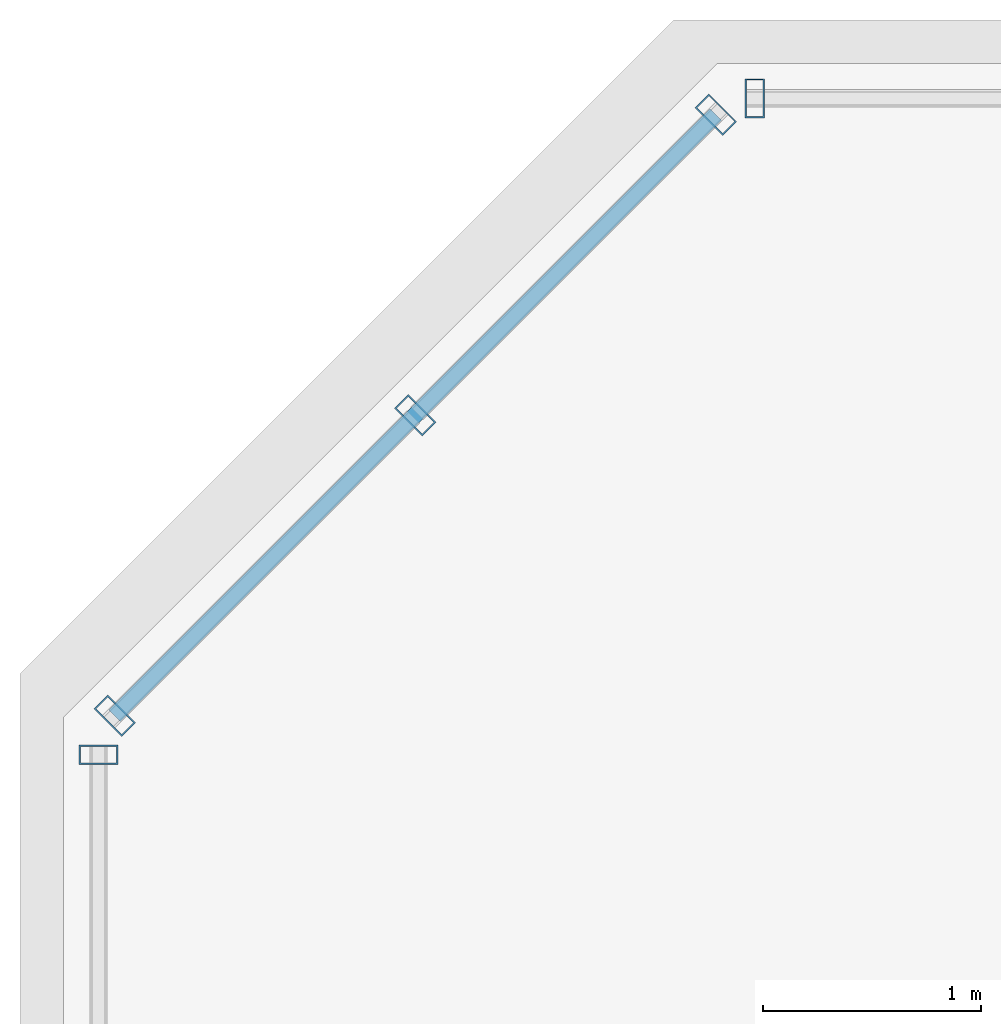
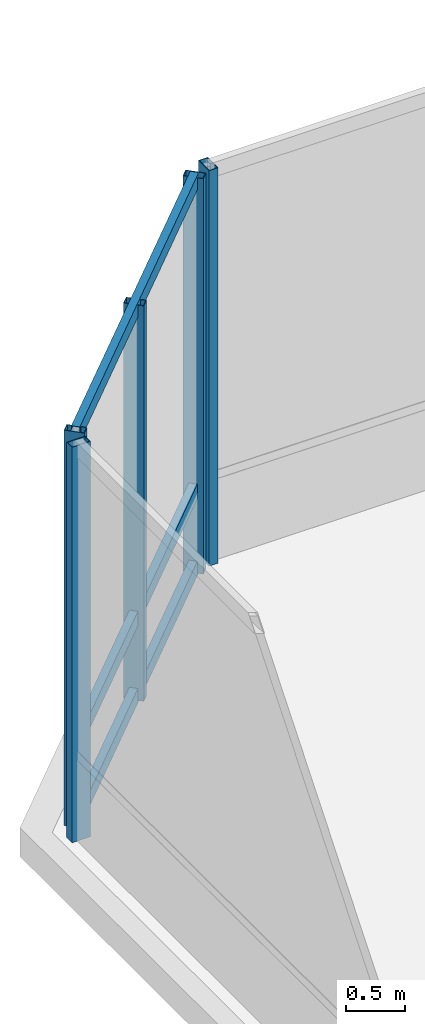
# One storey, part 13 of 22: 8 members, 3 elements without a shape of their own.
"""IFC4 building model written with IfcOpenShell, lengths in metres."""

from ifc_helpers import new_model, si_unit, direction, frame, origin, origin_2d, place, context, subcontext, project, spatial, hollow_rectangle, extrude, material, layer, layer_set, material_profile, profile_set, type_object, element, aggregate, save


model = new_model("IFC4")

# Units and contexts
model_context = context("Model", 3, precision=1e-05, world=origin(), true_north=direction((0.0, 1.0)))
body_context = subcontext(model_context, "Body", "Model", "MODEL_VIEW")
ifc_project = project(units=[si_unit("LENGTHUNIT", "METRE"), si_unit("AREAUNIT", "SQUARE_METRE"), si_unit("VOLUMEUNIT", "CUBIC_METRE"), si_unit("PLANEANGLEUNIT", "RADIAN"), si_unit("MASSUNIT", "GRAM", prefix="KILO")], contexts=[model_context])

# Site, building, storey
site_placement = place(None, origin())
site = spatial("IfcSite", under=ifc_project, at=site_placement, CompositionType="ELEMENT")
building_placement = place(site_placement, origin())
building = spatial("IfcBuilding", under=site, at=building_placement, Name="Tavrogorsk Clinical Tower", CompositionType="ELEMENT")
storey_placement = place(building_placement, frame((0.0, 0.0, 339.800048828125)))
storey = spatial("IfcBuildingStorey", under=building, at=storey_placement, Name="L79", CompositionType="ELEMENT", Elevation=339.800048828125)

# Curtain wall, member
ifc_material_1 = material(Name="Anodised aluminium and triple IGU glazing", Category="aluminium")
ifc_layer = layer(ifc_material_1, 0.179931640625)
ifc_layer_set = layer_set([ifc_layer], Name="Anodised aluminium and triple IGU glazing")
curtain_wall_type = type_object("IfcCurtainWallType", Name="CW6_TmdLantern", PredefinedType="NOTDEFINED", material=ifc_layer_set)
curtain_wall_1_placement = place(storey_placement, origin())
curtain_wall_1 = element("IfcCurtainWall", 1, at=curtain_wall_1_placement, inside=storey, type_object=curtain_wall_type, Name="L79 Curtain Wall CW-L79-DRUM-2", PredefinedType="NOTDEFINED")
ifc_material_2 = material(Name="Anodised aluminium alloy AW-6060", Category="aluminium")
ifc_material_profile_1 = material_profile(ifc_material_2, hollow_rectangle(XDim=0.090087890625, YDim=0.179931640625, WallThickness=0.00634765625, at=origin_2d()), Name="RHS-180x90x6.3")
ifc_profile_set_1 = profile_set([ifc_material_profile_1], Name="Anodised aluminium alloy AW-6060")
member_type_1 = type_object("IfcMemberType", Name="CwMullion_180x90", PredefinedType="MULLION", material=ifc_profile_set_1)
member_1_placement = place(storey_placement, frame((-26.639892578125, 15.02880859375, 0.0), z_axis=(0.0, 0.0, 1.0), x_axis=(0.0, 1.0, 0.0)))
member_1 = element("IfcMember", 2, at=member_1_placement, type_object=member_type_1, Name="CW-L79-DRUM-2 Mullion 4", PredefinedType="MULLION", context=body_context, shape_type="SweptSolid", body=[
    extrude(hollow_rectangle(XDim=0.090087890625, YDim=0.179931640625, WallThickness=0.00634765625, at=origin_2d()), origin(), (0.0, 0.0, 1.0), 4.099853515625),
])
aggregate(curtain_wall_1, [member_1])

# Curtain wall, members
curtain_wall_2_placement = place(storey_placement, origin())
curtain_wall_2 = element("IfcCurtainWall", 3, at=curtain_wall_2_placement, inside=storey, type_object=curtain_wall_type, Name="L79 Curtain Wall CW-L79-DRUM-3", PredefinedType="NOTDEFINED")
member_2_placement = place(storey_placement, frame((-26.565673828125, 15.2080078125, 0.0), z_axis=(0.0, 0.0, 1.0), x_axis=(0.707106781187, 0.707106781187, 0.0)))
member_2 = element("IfcMember", 4, at=member_2_placement, type_object=member_type_1, Name="CW-L79-DRUM-3 Mullion 1", PredefinedType="MULLION", context=body_context, shape_type="SweptSolid", body=[
    extrude(hollow_rectangle(XDim=0.090087890625, YDim=0.179931640625, WallThickness=0.00634765625, at=origin_2d()), origin(), (0.0, 0.0, 1.0), 4.099853515625),
])
member_3_placement = place(storey_placement, frame((-25.186767578125, 16.5869140625, 0.0), z_axis=(0.0, 0.0, 1.0), x_axis=(0.707106781187, 0.707106781187, 0.0)))
member_3 = element("IfcMember", 5, at=member_3_placement, type_object=member_type_1, Name="CW-L79-DRUM-3 Mullion 2", PredefinedType="MULLION", context=body_context, shape_type="SweptSolid", body=[
    extrude(hollow_rectangle(XDim=0.090087890625, YDim=0.179931640625, WallThickness=0.00634765625, at=origin_2d()), origin(), (0.0, 0.0, 1.0), 4.099853515625),
])
member_4_placement = place(storey_placement, frame((-23.807861328125, 17.9658203125, 0.0), z_axis=(0.0, 0.0, 1.0), x_axis=(0.707106781187, 0.707106781187, 0.0)))
member_4 = element("IfcMember", 6, at=member_4_placement, type_object=member_type_1, Name="CW-L79-DRUM-3 Mullion 3", PredefinedType="MULLION", context=body_context, shape_type="SweptSolid", body=[
    extrude(hollow_rectangle(XDim=0.090087890625, YDim=0.179931640625, WallThickness=0.00634765625, at=origin_2d()), origin(), (0.0, 0.0, 1.0), 4.099853515625),
])

# Curtain wall, member
curtain_wall_3_placement = place(storey_placement, origin())
curtain_wall_3 = element("IfcCurtainWall", 7, at=curtain_wall_3_placement, inside=storey, type_object=curtain_wall_type, Name="L79 Curtain Wall CW-L79-DRUM-4", PredefinedType="NOTDEFINED")
member_5_placement = place(storey_placement, frame((-23.628662109375, 18.0400390625, 0.0), z_axis=(0.0, 0.0, 1.0), x_axis=(1.0, 0.0, 0.0)))
member_5 = element("IfcMember", 8, at=member_5_placement, type_object=member_type_1, Name="CW-L79-DRUM-4 Mullion 1", PredefinedType="MULLION", context=body_context, shape_type="SweptSolid", body=[
    extrude(hollow_rectangle(XDim=0.090087890625, YDim=0.179931640625, WallThickness=0.00634765625, at=origin_2d()), origin(), (0.0, 0.0, 1.0), 4.099853515625),
])
aggregate(curtain_wall_3, [member_5])

# Member
ifc_material_3 = material(Name="Anodised aluminium alloy AW-6060", Category="aluminium")
ifc_material_profile_2 = material_profile(ifc_material_3, hollow_rectangle(XDim=0.074951171875, YDim=0.14990234375, WallThickness=0.0048828125, at=origin_2d()), Name="RHS-150x75x5")
ifc_profile_set_2 = profile_set([ifc_material_profile_2], Name="Anodised aluminium alloy AW-6060")
member_type_2 = type_object("IfcMemberType", Name="CwTransom_150x75", PredefinedType="USERDEFINED", material=ifc_profile_set_2)
member_6_placement = place(storey_placement, frame((-26.565673828125, 15.2080078125, 0.050048828125), z_axis=(0.707106781187, 0.707106781187, 0.0), x_axis=(-0.707106781187, 0.707106781187, 0.0)))
member_6 = element("IfcMember", 9, at=member_6_placement, type_object=member_type_2, Name="CW-L79-DRUM-3 Transom 1", ObjectType="TRANSOM", PredefinedType="USERDEFINED", context=body_context, shape_type="SweptSolid", body=[
    extrude(hollow_rectangle(XDim=0.074951171875, YDim=0.14990234375, WallThickness=0.0048828125, at=origin_2d()), origin(), (0.0, 0.0, 1.0), 3.900146484375),
])

member_7_placement = place(storey_placement, frame((-26.565673828125, 15.2080078125, 0.849853515625), z_axis=(0.707106781187, 0.707106781187, 0.0), x_axis=(-0.707106781187, 0.707106781187, 0.0)))
member_7 = element("IfcMember", 10, at=member_7_placement, type_object=member_type_2, Name="CW-L79-DRUM-3 Transom 2", ObjectType="TRANSOM", PredefinedType="USERDEFINED", context=body_context, shape_type="SweptSolid", body=[
    extrude(hollow_rectangle(XDim=0.074951171875, YDim=0.14990234375, WallThickness=0.0048828125, at=origin_2d()), origin(), (0.0, 0.0, 1.0), 3.900146484375),
])

member_8_placement = place(storey_placement, frame((-26.565673828125, 15.2080078125, 4.050048828125), z_axis=(0.707106781187, 0.707106781187, 0.0), x_axis=(-0.707106781187, 0.707106781187, 0.0)))
member_8 = element("IfcMember", 11, at=member_8_placement, type_object=member_type_2, Name="CW-L79-DRUM-3 Transom 3", ObjectType="TRANSOM", PredefinedType="USERDEFINED", context=body_context, shape_type="SweptSolid", body=[
    extrude(hollow_rectangle(XDim=0.074951171875, YDim=0.14990234375, WallThickness=0.0048828125, at=origin_2d()), origin(), (0.0, 0.0, 1.0), 3.900146484375),
])

aggregate(curtain_wall_2, [member_2, member_3, member_4, member_6, member_7, member_8])

save(model, "model.ifc")
